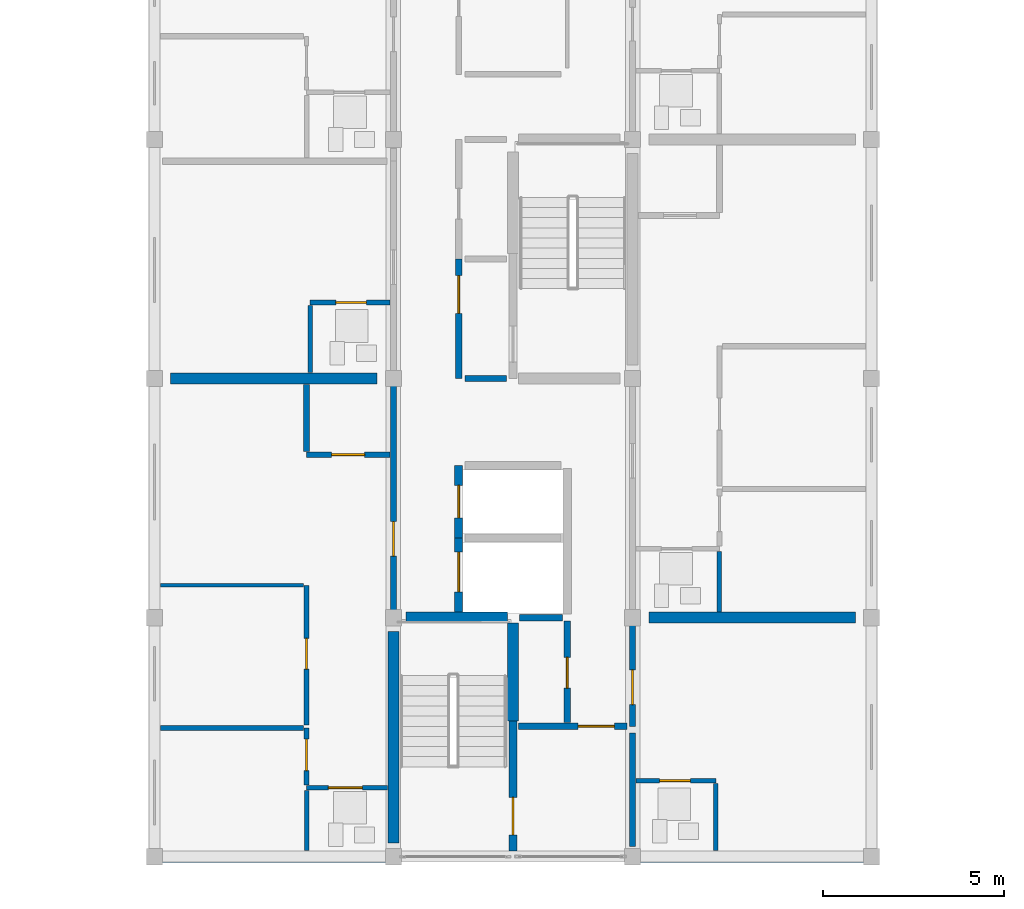
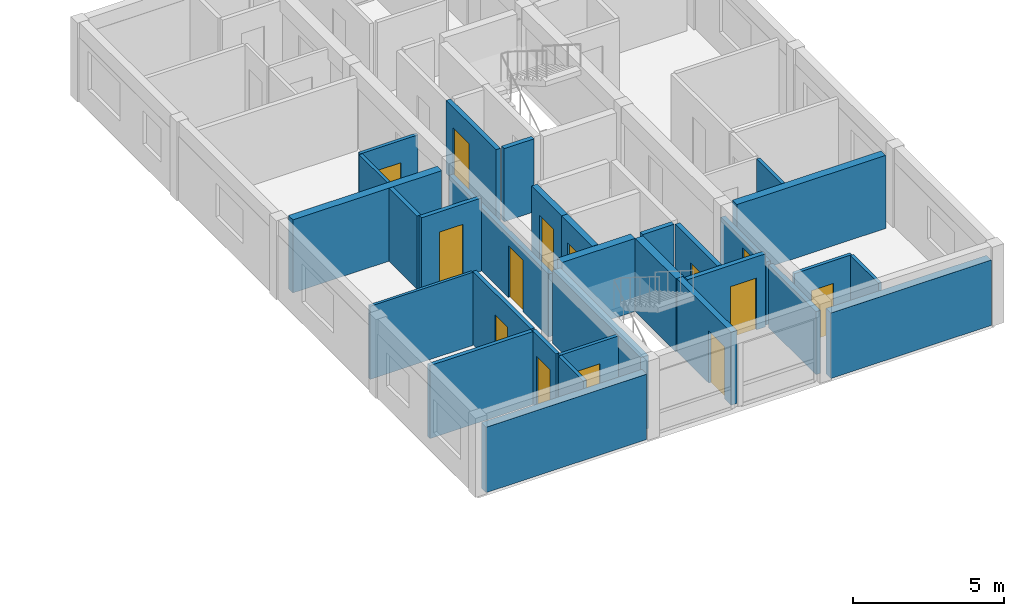
# One storey, part 28 of 45: 31 walls, 14 doors, 14 openings.
"""IFC4 building model written with IfcOpenShell, lengths in metres."""

from ifc_helpers import new_model, si_unit, direction, frame, frame_2d, origin, place, context, subcontext, project, spatial, rectangle, extrude, material, layer, layer_set, type_object, element, fill, save


model = new_model("IFC4")

# Units and contexts
model_context = context("Model", 3, precision=1e-05, world=origin(), true_north=direction((0.0, 1.0)))
body_context = subcontext(model_context, "Body", "Model", "MODEL_VIEW")
ifc_project = project(units=[si_unit("LENGTHUNIT", "METRE"), si_unit("AREAUNIT", "SQUARE_METRE"), si_unit("VOLUMEUNIT", "CUBIC_METRE"), si_unit("PLANEANGLEUNIT", "RADIAN"), si_unit("MASSUNIT", "GRAM", prefix="KILO")], contexts=[model_context])

# Site, building, storey
site_placement = place(None, origin())
site = spatial("IfcSite", under=ifc_project, at=site_placement, CompositionType="ELEMENT")
building_placement = place(site_placement, origin())
building = spatial("IfcBuilding", under=site, at=building_placement, Name="Kernevlak Ridge Housing Community", CompositionType="ELEMENT")
storey_placement = place(building_placement, frame((0.0, 0.0, 21.199951171875)))
storey = spatial("IfcBuildingStorey", under=building, at=storey_placement, Name="L06", CompositionType="ELEMENT", Elevation=21.199951171875)

# Walls
ifc_material_1 = material(Name="Concrete block masonry M10", Category="masonry")
ifc_layer_1 = layer(ifc_material_1, 0.320068359375, Name="Concrete block masonry M10")
ifc_layer_set_1 = layer_set([ifc_layer_1], Name="Concrete block masonry M10")
wall_type_1 = type_object("IfcWallType", Name="EW-02", PredefinedType="STANDARD", material=ifc_layer_set_1)
for number, where, z_axis, x_axis, name in (
    (1, (126.22509765625, 15.60009765625, 0.0), (0.0, 0.0, 1.0), (1.0, 0.0, 0.0), "Exterior wall EW-02 L06 624"),
    (2, (139.425048828125, 15.60009765625, 0.0), (0.0, 0.0, 1.0), (1.0, 0.0, 0.0), "Exterior wall EW-02 L06 625"),
):
    element("IfcWall", number, at=place(storey_placement, frame(where, z_axis=z_axis, x_axis=x_axis)), inside=storey, type_object=wall_type_1, Name=name, PredefinedType="STANDARD", context=body_context, shape_type="SweptSolid", body=[
        extrude(rectangle(XDim=6.14990234375, YDim=0.320068359375, at=frame_2d((3.074951171875, 0.0))), origin(), (0.0, 0.0, 1.0), 2.650146484375),
    ])

# Wall, opening, door
ifc_material_2 = material(Name="Concrete C35/45", Category="concrete")
ifc_layer_2 = layer(ifc_material_2, 0.22509765625, Name="Concrete C35/45")
ifc_layer_set_2 = layer_set([ifc_layer_2], Name="Concrete C35/45")
wall_type_2 = type_object("IfcWallType", Name="PW-01", PredefinedType="STANDARD", material=ifc_layer_set_2)
wall_1_placement = place(storey_placement, frame((135.89990234375, 15.75, 0.0), z_axis=(0.0, 0.0, 1.0), x_axis=(0.0, 1.0, 0.0)))
wall_1 = element("IfcWall", 3, at=wall_1_placement, inside=storey, type_object=wall_type_2, Name="Interior wall PW-01 WAL-INT-L06-2489", PredefinedType="STANDARD", context=body_context, shape_type="SweptSolid", body=[
    extrude(rectangle(XDim=3.60009765625, YDim=0.22509765625, at=frame_2d((1.800048828125, 0.0))), origin(), (0.0, 0.0, 1.0), 2.9599609375),
])
opening_1_placement = place(wall_1_placement, frame((0.449951171875, 0.0, 0.0)))
opening_1 = element("IfcOpeningElement", 4, at=opening_1_placement, cuts=wall_1, Name="Opening E263", PredefinedType="OPENING", context=body_context, shape_type="SweptSolid", body=[
    extrude(rectangle(XDim=1.0400390625, YDim=2.1201171875, at=frame_2d((0.52001953125, 1.06005859375))), frame((0.0, 0.12255859375, 0.0), z_axis=(0.0, -1.0, 0.0), x_axis=(1.0, 0.0, 0.0)), (0.0, 0.0, 1.0), 0.2451171875),
])
ifc_material_3 = material(Name="Fire-rated sheet steel leaf", Category="steel")
door_type_1 = type_object("IfcDoorType", Name="DT-16", OperationType="NOTDEFINED", PredefinedType="DOOR", material=ifc_material_3)
door_1_placement = place(opening_1_placement, origin())
door_1 = element("IfcDoor", 5, at=door_1_placement, inside=storey, type_object=door_type_1, Name="Block C Stair 1 fire door E263", OperationType="SINGLE_SWING_RIGHT", OverallHeight=2.1201171875, OverallWidth=1.0400390625, PredefinedType="DOOR", context=body_context, shape_type="SweptSolid", body=[
    extrude(rectangle(XDim=1.0400390625, YDim=2.1201171875, at=frame_2d((0.52001953125, 1.06005859375))), frame((0.0, 0.02490234375, 0.0), z_axis=(0.0, -1.0, 0.0), x_axis=(1.0, 0.0, 0.0)), (0.0, 0.0, 1.0), 0.050048828125),
])
fill(opening_1, door_1)

wall_2_placement = place(storey_placement, frame((134.39990234375, 22.360107421875, 0.0), z_axis=(0.0, 0.0, 1.0), x_axis=(0.0, 1.0, 0.0)))
wall_2 = element("IfcWall", 6, at=wall_2_placement, inside=storey, type_object=wall_type_2, Name="Interior wall PW-01 WAL-INT-L06-2493", PredefinedType="STANDARD", context=body_context, shape_type="SweptSolid", body=[
    extrude(rectangle(XDim=2.039794921875, YDim=0.22509765625, at=frame_2d((1.02001953125, 0.0))), origin(), (0.0, 0.0, 1.0), 2.9599609375),
])
opening_2_placement = place(wall_2_placement, frame((0.550048828125, 0.0, 0.0)))
opening_2 = element("IfcOpeningElement", 7, at=opening_2_placement, cuts=wall_2, Name="Opening LD67", PredefinedType="OPENING", context=body_context, shape_type="SweptSolid", body=[
    extrude(rectangle(XDim=1.10009765625, YDim=2.10009765625, at=frame_2d((0.550048828125, 1.050048828125))), frame((0.0, 0.12255859375, 0.0), z_axis=(0.0, -1.0, 0.0), x_axis=(1.0, 0.0, 0.0)), (0.0, 0.0, 1.0), 0.2451171875),
])
ifc_material_4 = material(Name="Stainless steel EN 1.4401", Category="steel")
door_type_2 = type_object("IfcDoorType", Name="DT-LD1", OperationType="DOUBLE_DOOR_SLIDING", PredefinedType="DOOR", material=ifc_material_4)
door_2_placement = place(opening_2_placement, origin())
door_2 = element("IfcDoor", 8, at=door_2_placement, inside=storey, type_object=door_type_2, Name="Lift LF-C1 landing door LD67", OperationType="DOUBLE_DOOR_SLIDING", OverallHeight=2.10009765625, OverallWidth=1.10009765625, PredefinedType="DOOR", context=body_context, shape_type="SweptSolid", body=[
    extrude(rectangle(XDim=1.10009765625, YDim=2.10009765625, at=frame_2d((0.550048828125, 1.050048828125))), frame((0.0, 0.02490234375, 0.0), z_axis=(0.0, -1.0, 0.0), x_axis=(1.0, 0.0, 0.0)), (0.0, 0.0, 1.0), 0.050048828125),
])
fill(opening_2, door_2)

wall_3_placement = place(storey_placement, frame((134.39990234375, 24.39990234375, 0.0), z_axis=(0.0, 0.0, 1.0), x_axis=(0.0, 1.0, 0.0)))
wall_3 = element("IfcWall", 9, at=wall_3_placement, inside=storey, type_object=wall_type_2, Name="Interior wall PW-01 WAL-INT-L06-2494", PredefinedType="STANDARD", context=body_context, shape_type="SweptSolid", body=[
    extrude(rectangle(XDim=2.0, YDim=0.22509765625, at=frame_2d((1.0, 0.0))), origin(), (0.0, 0.0, 1.0), 2.9599609375),
])
opening_3_placement = place(wall_3_placement, frame((0.550048828125, 0.0, 0.0)))
opening_3 = element("IfcOpeningElement", 10, at=opening_3_placement, cuts=wall_3, Name="Opening LD68", PredefinedType="OPENING", context=body_context, shape_type="SweptSolid", body=[
    extrude(rectangle(XDim=0.89990234375, YDim=2.10009765625, at=frame_2d((0.449951171875, 1.050048828125))), frame((0.0, 0.12255859375, 0.0), z_axis=(0.0, -1.0, 0.0), x_axis=(1.0, 0.0, 0.0)), (0.0, 0.0, 1.0), 0.2451171875),
])
door_type_3 = type_object("IfcDoorType", Name="DT-LD2", OperationType="DOUBLE_DOOR_SLIDING", PredefinedType="DOOR", material=ifc_material_4)
door_3_placement = place(opening_3_placement, origin())
door_3 = element("IfcDoor", 11, at=door_3_placement, inside=storey, type_object=door_type_3, Name="Lift LF-C2 landing door LD68", OperationType="DOUBLE_DOOR_SLIDING", OverallHeight=2.10009765625, OverallWidth=0.89990234375, PredefinedType="DOOR", context=body_context, shape_type="SweptSolid", body=[
    extrude(rectangle(XDim=0.89990234375, YDim=2.10009765625, at=frame_2d((0.449951171875, 1.050048828125))), frame((0.0, 0.02490234375, 0.0), z_axis=(0.0, -1.0, 0.0), x_axis=(1.0, 0.0, 0.0)), (0.0, 0.0, 1.0), 0.050048828125),
])
fill(opening_3, door_3)

ifc_layer_3 = layer(ifc_material_1, 0.175048828125, Name="Concrete block masonry M10")
ifc_layer_set_3 = layer_set([ifc_layer_3], Name="Concrete block masonry M10")
wall_type_3 = type_object("IfcWallType", Name="PW-02", PredefinedType="PARTITIONING", material=ifc_layer_set_3)
wall_4_placement = place(storey_placement, frame((136.050048828125, 19.199951171875, 0.0), z_axis=(0.0, 0.0, 1.0), x_axis=(1.0, 0.0, 0.0)))
wall_4 = element("IfcWall", 12, at=wall_4_placement, inside=storey, type_object=wall_type_3, Name="Interior wall PW-02 WAL-INT-L06-2490", PredefinedType="PARTITIONING", context=body_context, shape_type="SweptSolid", body=[
    extrude(rectangle(XDim=3.0, YDim=0.175048828125, at=frame_2d((1.5, 0.0))), origin(), (0.0, 0.0, 1.0), 2.9599609375),
])
opening_4_placement = place(wall_4_placement, frame((1.64990234375, 0.0, 0.0)))
opening_4 = element("IfcOpeningElement", 13, at=opening_4_placement, cuts=wall_4, Name="Opening E264", PredefinedType="OPENING", context=body_context, shape_type="SweptSolid", body=[
    extrude(rectangle(XDim=1.0, YDim=2.10009765625, at=frame_2d((0.5, 1.050048828125))), frame((0.0, 0.097412109375, 0.0), z_axis=(0.0, -1.0, 0.0), x_axis=(1.0, 0.0, 0.0)), (0.0, 0.0, 1.0), 0.195068359375),
])
door_type_4 = type_object("IfcDoorType", Name="DT-05", OperationType="NOTDEFINED", PredefinedType="DOOR", material=ifc_material_3)
door_4_placement = place(opening_4_placement, origin())
door_4 = element("IfcDoor", 14, at=door_4_placement, inside=storey, type_object=door_type_4, Name="Block C Firefighting lobby 1 door E264", OperationType="SINGLE_SWING_LEFT", OverallHeight=2.10009765625, OverallWidth=1.0, PredefinedType="DOOR", context=body_context, shape_type="SweptSolid", body=[
    extrude(rectangle(XDim=1.0, YDim=2.10009765625, at=frame_2d((0.5, 1.050048828125))), frame((0.0, 0.02490234375, 0.0), z_axis=(0.0, -1.0, 0.0), x_axis=(1.0, 0.0, 0.0)), (0.0, 0.0, 1.0), 0.050048828125),
])
fill(opening_4, door_4)

wall_5_placement = place(storey_placement, frame((137.39990234375, 19.300048828125, 0.0), z_axis=(0.0, 0.0, 1.0), x_axis=(0.0, 1.0, 0.0)))
wall_5 = element("IfcWall", 15, at=wall_5_placement, inside=storey, type_object=wall_type_3, Name="Interior wall PW-02 WAL-INT-L06-2491", PredefinedType="PARTITIONING", context=body_context, shape_type="SweptSolid", body=[
    extrude(rectangle(XDim=2.800048828125, YDim=0.175048828125, at=frame_2d((1.39990234375, 0.0))), origin(), (0.0, 0.0, 1.0), 2.9599609375),
])
opening_5_placement = place(wall_5_placement, frame((0.949951171875, 0.0, 0.0)))
opening_5 = element("IfcOpeningElement", 16, at=opening_5_placement, cuts=wall_5, Name="Opening E265", PredefinedType="OPENING", context=body_context, shape_type="SweptSolid", body=[
    extrude(rectangle(XDim=0.85009765625, YDim=2.0, at=frame_2d((0.425048828125, 1.0))), frame((0.0, 0.097412109375, 0.0), z_axis=(0.0, -1.0, 0.0), x_axis=(1.0, 0.0, 0.0)), (0.0, 0.0, 1.0), 0.195068359375),
])
door_type_5 = type_object("IfcDoorType", Name="DT-07", OperationType="NOTDEFINED", PredefinedType="DOOR", material=ifc_material_3)
door_5_placement = place(opening_5_placement, origin())
door_5 = element("IfcDoor", 17, at=door_5_placement, inside=storey, type_object=door_type_5, Name="Block C Riser shaft door E265", OperationType="SINGLE_SWING_RIGHT", OverallHeight=2.0, OverallWidth=0.85009765625, PredefinedType="DOOR", context=body_context, shape_type="SweptSolid", body=[
    extrude(rectangle(XDim=0.85009765625, YDim=2.0, at=frame_2d((0.425048828125, 1.0))), frame((0.0, 0.02490234375, 0.0), z_axis=(0.0, -1.0, 0.0), x_axis=(1.0, 0.0, 0.0)), (0.0, 0.0, 1.0), 0.050048828125),
])
fill(opening_5, door_5)

# Wall
wall_6_placement = place(storey_placement, frame((136.080078125, 22.199951171875, 0.0), z_axis=(0.0, 0.0, 1.0), x_axis=(1.0, 0.0, 0.0)))
element("IfcWall", 18, at=wall_6_placement, inside=storey, type_object=wall_type_3, Name="Interior wall PW-02 WAL-INT-L06-2492", PredefinedType="PARTITIONING", context=body_context, shape_type="SweptSolid", body=[
    extrude(rectangle(XDim=1.18994140625, YDim=0.175048828125, at=frame_2d((0.594970703125, 0.0))), origin(), (0.0, 0.0, 1.0), 2.9599609375),
])

# Wall, opening, door
wall_7_placement = place(storey_placement, frame((134.39990234375, 28.800048828125, 0.0), z_axis=(0.0, 0.0, 1.0), x_axis=(0.0, 1.0, 0.0)))
wall_7 = element("IfcWall", 19, at=wall_7_placement, inside=storey, type_object=wall_type_3, Name="Interior wall PW-02 WAL-INT-L06-2500", PredefinedType="PARTITIONING", context=body_context, shape_type="SweptSolid", body=[
    extrude(rectangle(XDim=3.300048828125, YDim=0.175048828125, at=frame_2d((1.64990234375, 0.0))), origin(), (0.0, 0.0, 1.0), 2.9599609375),
])
opening_6_placement = place(wall_7_placement, frame((1.800048828125, 0.0, 0.0)))
opening_6 = element("IfcOpeningElement", 20, at=opening_6_placement, cuts=wall_7, Name="Opening E267", PredefinedType="OPENING", context=body_context, shape_type="SweptSolid", body=[
    extrude(rectangle(XDim=1.0400390625, YDim=2.1201171875, at=frame_2d((0.52001953125, 1.06005859375))), frame((0.0, 0.097412109375, 0.0), z_axis=(0.0, -1.0, 0.0), x_axis=(1.0, 0.0, 0.0)), (0.0, 0.0, 1.0), 0.195068359375),
])
door_6_placement = place(opening_6_placement, origin())
door_6 = element("IfcDoor", 21, at=door_6_placement, inside=storey, type_object=door_type_1, Name="Block C Firefighting lobby 2 door E267", OperationType="SINGLE_SWING_RIGHT", OverallHeight=2.1201171875, OverallWidth=1.0400390625, PredefinedType="DOOR", context=body_context, shape_type="SweptSolid", body=[
    extrude(rectangle(XDim=1.0400390625, YDim=2.1201171875, at=frame_2d((0.52001953125, 1.06005859375))), frame((0.0, 0.02490234375, 0.0), z_axis=(0.0, -1.0, 0.0), x_axis=(1.0, 0.0, 0.0)), (0.0, 0.0, 1.0), 0.050048828125),
])
fill(opening_6, door_6)

# Wall
wall_8_placement = place(storey_placement, frame((134.580078125, 28.800048828125, 0.0), z_axis=(0.0, 0.0, 1.0), x_axis=(1.0, 0.0, 0.0)))
element("IfcWall", 22, at=wall_8_placement, inside=storey, type_object=wall_type_3, Name="Interior wall PW-02 WAL-INT-L06-2502", PredefinedType="PARTITIONING", context=body_context, shape_type="SweptSolid", body=[
    extrude(rectangle(XDim=1.139892578125, YDim=0.175048828125, at=frame_2d((0.56982421875, 0.0))), origin(), (0.0, 0.0, 1.0), 2.9599609375),
])

# Wall, opening, door
wall_9_placement = place(storey_placement, frame((132.60009765625, 22.199951171875, 0.0), z_axis=(0.0, 0.0, 1.0), x_axis=(0.0, 1.0, 0.0)))
wall_9 = element("IfcWall", 23, at=wall_9_placement, inside=storey, type_object=wall_type_3, Name="Interior wall PW-02 WAL-INT-L06-2508", PredefinedType="PARTITIONING", context=body_context, shape_type="SweptSolid", body=[
    extrude(rectangle(XDim=6.60009765625, YDim=0.175048828125, at=frame_2d((3.300048828125, 0.0))), origin(), (0.0, 0.0, 1.0), 2.550048828125),
])
opening_7_placement = place(wall_9_placement, frame((1.699951171875, 0.0, 0.0)))
opening_7 = element("IfcOpeningElement", 24, at=opening_7_placement, cuts=wall_9, Name="Opening E270", PredefinedType="OPENING", context=body_context, shape_type="SweptSolid", body=[
    extrude(rectangle(XDim=0.949951171875, YDim=2.10009765625, at=frame_2d((0.47509765625, 1.050048828125))), frame((0.0, 0.097412109375, 0.0), z_axis=(0.0, -1.0, 0.0), x_axis=(1.0, 0.0, 0.0)), (0.0, 0.0, 1.0), 0.195068359375),
])
ifc_material_5 = material(Name="Hardwood timber solid-core fire leaf", Category="wood")
door_type_6 = type_object("IfcDoorType", Name="DT-01", OperationType="NOTDEFINED", PredefinedType="DOOR", material=ifc_material_5)
door_7_placement = place(opening_7_placement, origin())
door_7 = element("IfcDoor", 25, at=door_7_placement, inside=storey, type_object=door_type_6, Name="Flat C0611 entrance fire door E270", OperationType="SINGLE_SWING_LEFT", OverallHeight=2.10009765625, OverallWidth=0.949951171875, PredefinedType="DOOR", context=body_context, shape_type="SweptSolid", body=[
    extrude(rectangle(XDim=0.949951171875, YDim=2.10009765625, at=frame_2d((0.47509765625, 1.050048828125))), frame((0.0, 0.02490234375, 0.0), z_axis=(0.0, -1.0, 0.0), x_axis=(1.0, 0.0, 0.0)), (0.0, 0.0, 1.0), 0.050048828125),
])
fill(opening_7, door_7)

# Wall
wall_10_placement = place(storey_placement, frame((139.199951171875, 15.8798828125, 0.0), z_axis=(0.0, 0.0, 1.0), x_axis=(0.0, 1.0, 0.0)))
element("IfcWall", 26, at=wall_10_placement, inside=storey, type_object=wall_type_3, Name="Interior wall PW-02 WAL-INT-L06-2528", PredefinedType="PARTITIONING", context=body_context, shape_type="SweptSolid", body=[
    extrude(rectangle(XDim=3.14013671875, YDim=0.175048828125, at=frame_2d((1.570068359375, 0.0))), origin(), (0.0, 0.0, 1.0), 2.550048828125),
])

# Wall, opening, door
wall_11_placement = place(storey_placement, frame((139.199951171875, 19.199951171875, 0.0), z_axis=(0.0, 0.0, 1.0), x_axis=(0.0, 1.0, 0.0)))
wall_11 = element("IfcWall", 27, at=wall_11_placement, inside=storey, type_object=wall_type_3, Name="Interior wall PW-02 WAL-INT-L06-2529", PredefinedType="PARTITIONING", context=body_context, shape_type="SweptSolid", body=[
    extrude(rectangle(XDim=3.0, YDim=0.175048828125, at=frame_2d((1.5, 0.0))), origin(), (0.0, 0.0, 1.0), 2.550048828125),
])
opening_8_placement = place(wall_11_placement, frame((0.60009765625, 0.0, 0.0)))
opening_8 = element("IfcOpeningElement", 28, at=opening_8_placement, cuts=wall_11, Name="Opening E281", PredefinedType="OPENING", context=body_context, shape_type="SweptSolid", body=[
    extrude(rectangle(XDim=0.9599609375, YDim=2.179931640625, at=frame_2d((0.47998046875, 1.08984375))), frame((0.0, 0.097412109375, 0.0), z_axis=(0.0, -1.0, 0.0), x_axis=(1.0, 0.0, 0.0)), (0.0, 0.0, 1.0), 0.195068359375),
])
door_type_7 = type_object("IfcDoorType", Name="DT-29", OperationType="NOTDEFINED", PredefinedType="DOOR", material=ifc_material_5)
door_8_placement = place(opening_8_placement, origin())
door_8 = element("IfcDoor", 29, at=door_8_placement, inside=storey, type_object=door_type_7, Name="Flat C0621 entrance fire door E281", OperationType="SINGLE_SWING_RIGHT", OverallHeight=2.179931640625, OverallWidth=0.9599609375, PredefinedType="DOOR", context=body_context, shape_type="SweptSolid", body=[
    extrude(rectangle(XDim=0.9599609375, YDim=2.179931640625, at=frame_2d((0.47998046875, 1.08984375))), frame((0.0, 0.02490234375, 0.0), z_axis=(0.0, -1.0, 0.0), x_axis=(1.0, 0.0, 0.0)), (0.0, 0.0, 1.0), 0.050048828125),
])
fill(opening_8, door_8)

ifc_layer_4 = layer(ifc_material_1, 0.14501953125, Name="Concrete block masonry M10")
ifc_layer_set_4 = layer_set([ifc_layer_4], Name="Concrete block masonry M10")
wall_type_4 = type_object("IfcWallType", Name="PW-03", PredefinedType="PARTITIONING", material=ifc_layer_set_4)
wall_12_placement = place(storey_placement, frame((130.199951171875, 17.572509765625, 0.0), z_axis=(0.0, 0.0, 1.0), x_axis=(0.0, 1.0, 0.0)))
wall_12 = element("IfcWall", 30, at=wall_12_placement, inside=storey, type_object=wall_type_4, Name="Interior wall PW-03 WAL-INT-L06-2513", PredefinedType="PARTITIONING", context=body_context, shape_type="SweptSolid", body=[
    extrude(rectangle(XDim=1.577392578125, YDim=0.14501953125, at=frame_2d((0.78857421875, 0.0))), origin(), (0.0, 0.0, 1.0), 2.9599609375),
])
opening_9_placement = place(wall_12_placement, frame((0.39990234375, 0.0, 0.0)))
opening_9 = element("IfcOpeningElement", 31, at=opening_9_placement, cuts=wall_12, Name="Opening E273", PredefinedType="OPENING", context=body_context, shape_type="SweptSolid", body=[
    extrude(rectangle(XDim=0.8701171875, YDim=2.080078125, at=frame_2d((0.43505859375, 1.0400390625))), frame((0.0, 0.08251953125, 0.0), z_axis=(0.0, -1.0, 0.0), x_axis=(1.0, 0.0, 0.0)), (0.0, 0.0, 1.0), 0.1650390625),
])
ifc_material_6 = material(Name="Hardwood timber leaf", Category="wood")
door_type_8 = type_object("IfcDoorType", Name="DT-32", OperationType="NOTDEFINED", PredefinedType="DOOR", material=ifc_material_6)
door_9_placement = place(opening_9_placement, origin())
door_9 = element("IfcDoor", 32, at=door_9_placement, inside=storey, type_object=door_type_8, Name="Flat C0611 bedroom door E273", OperationType="SINGLE_SWING_RIGHT", OverallHeight=2.080078125, OverallWidth=0.8701171875, PredefinedType="DOOR", context=body_context, shape_type="SweptSolid", body=[
    extrude(rectangle(XDim=0.8701171875, YDim=2.080078125, at=frame_2d((0.43505859375, 1.0400390625))), frame((0.0, 0.02490234375, 0.0), z_axis=(0.0, -1.0, 0.0), x_axis=(1.0, 0.0, 0.0)), (0.0, 0.0, 1.0), 0.050048828125),
])
fill(opening_9, door_9)

# Wall
wall_13_placement = place(storey_placement, frame((130.117431640625, 19.14990234375, 0.0), z_axis=(0.0, 0.0, 1.0), x_axis=(-1.0, 0.0, 0.0)))
element("IfcWall", 33, at=wall_13_placement, inside=storey, type_object=wall_type_4, Name="Interior wall PW-03 WAL-INT-L06-2514", PredefinedType="PARTITIONING", context=body_context, shape_type="SweptSolid", body=[
    extrude(rectangle(XDim=3.947509765625, YDim=0.14501953125, at=frame_2d((1.9736328125, 0.0))), origin(), (0.0, 0.0, 1.0), 2.9599609375),
])

# Wall, opening, door
wall_14_placement = place(storey_placement, frame((130.199951171875, 19.232421875, 0.0), z_axis=(0.0, 0.0, 1.0), x_axis=(0.0, 1.0, 0.0)))
wall_14 = element("IfcWall", 34, at=wall_14_placement, inside=storey, type_object=wall_type_4, Name="Interior wall PW-03 WAL-INT-L06-2515", PredefinedType="PARTITIONING", context=body_context, shape_type="SweptSolid", body=[
    extrude(rectangle(XDim=3.859619140625, YDim=0.14501953125, at=frame_2d((1.9296875, 0.0))), origin(), (0.0, 0.0, 1.0), 2.9599609375),
])
opening_10_placement = place(wall_14_placement, frame((1.5458984375, 0.0, 0.0)))
opening_10 = element("IfcOpeningElement", 35, at=opening_10_placement, cuts=wall_14, Name="Opening E274", PredefinedType="OPENING", context=body_context, shape_type="SweptSolid", body=[
    extrude(rectangle(XDim=0.85009765625, YDim=2.10009765625, at=frame_2d((0.425048828125, 1.050048828125))), frame((0.0, 0.08251953125, 0.0), z_axis=(0.0, -1.0, 0.0), x_axis=(1.0, 0.0, 0.0)), (0.0, 0.0, 1.0), 0.1650390625),
])
door_type_9 = type_object("IfcDoorType", Name="DT-03", OperationType="NOTDEFINED", PredefinedType="DOOR", material=ifc_material_6)
door_10_placement = place(opening_10_placement, origin())
door_10 = element("IfcDoor", 36, at=door_10_placement, inside=storey, type_object=door_type_9, Name="Flat C0611 bedroom door E274", OperationType="SINGLE_SWING_LEFT", OverallHeight=2.10009765625, OverallWidth=0.85009765625, PredefinedType="DOOR", context=body_context, shape_type="SweptSolid", body=[
    extrude(rectangle(XDim=0.85009765625, YDim=2.10009765625, at=frame_2d((0.425048828125, 1.050048828125))), frame((0.0, 0.02490234375, 0.0), z_axis=(0.0, -1.0, 0.0), x_axis=(1.0, 0.0, 0.0)), (0.0, 0.0, 1.0), 0.050048828125),
])
fill(opening_10, door_10)

ifc_material_7 = material(Name="Gypsum plasterboard EN 520", Category="gypsum")
ifc_layer_5 = layer(ifc_material_7, 0.125, Name="Gypsum plasterboard EN 520")
ifc_layer_set_5 = layer_set([ifc_layer_5], Name="Gypsum plasterboard EN 520")
wall_type_5 = type_object("IfcWallType", Name="PW-04", PredefinedType="PARTITIONING", material=ifc_layer_set_5)
wall_15_placement = place(storey_placement, frame((132.43994140625, 17.5, 0.0), z_axis=(0.0, 0.0, 1.0), x_axis=(-1.0, 0.0, 0.0)))
wall_15 = element("IfcWall", 37, at=wall_15_placement, inside=storey, type_object=wall_type_5, Name="Interior wall PW-04 WAL-INT-L06-2509", PredefinedType="PARTITIONING", context=body_context, shape_type="SweptSolid", body=[
    extrude(rectangle(XDim=2.239990234375, YDim=0.125, at=frame_2d((1.1201171875, 0.0))), origin(), (0.0, 0.0, 1.0), 2.9599609375),
])
opening_11_placement = place(wall_15_placement, frame((0.699951171875, 0.0, 0.0)))
opening_11 = element("IfcOpeningElement", 38, at=opening_11_placement, cuts=wall_15, Name="Opening E271", PredefinedType="OPENING", context=body_context, shape_type="SweptSolid", body=[
    extrude(rectangle(XDim=0.93994140625, YDim=2.080078125, at=frame_2d((0.469970703125, 1.0400390625))), frame((0.0, 0.072509765625, 0.0), z_axis=(0.0, -1.0, 0.0), x_axis=(1.0, 0.0, 0.0)), (0.0, 0.0, 1.0), 0.14501953125),
])
ifc_material_8 = material(Name="Hardwood timber moisture-resistant leaf", Category="wood")
door_type_10 = type_object("IfcDoorType", Name="DT-23", OperationType="NOTDEFINED", PredefinedType="DOOR", material=ifc_material_8)
door_11_placement = place(opening_11_placement, origin())
door_11 = element("IfcDoor", 39, at=door_11_placement, inside=storey, type_object=door_type_10, Name="Flat C0611 bathroom door E271", OperationType="SINGLE_SWING_RIGHT", OverallHeight=2.080078125, OverallWidth=0.93994140625, PredefinedType="DOOR", context=body_context, shape_type="SweptSolid", body=[
    extrude(rectangle(XDim=0.93994140625, YDim=2.080078125, at=frame_2d((0.469970703125, 1.0400390625))), frame((0.0, 0.02490234375, 0.0), z_axis=(0.0, -1.0, 0.0), x_axis=(1.0, 0.0, 0.0)), (0.0, 0.0, 1.0), 0.050048828125),
])
fill(opening_11, door_11)

# Wall
wall_16_placement = place(storey_placement, frame((130.199951171875, 15.77001953125, 0.0), z_axis=(0.0, 0.0, 1.0), x_axis=(0.0, 1.0, 0.0)))
element("IfcWall", 40, at=wall_16_placement, inside=storey, type_object=wall_type_5, Name="Interior wall PW-04 WAL-INT-L06-2510", PredefinedType="PARTITIONING", context=body_context, shape_type="SweptSolid", body=[
    extrude(rectangle(XDim=1.64990234375, YDim=0.125, at=frame_2d((0.824951171875, 0.0))), origin(), (0.0, 0.0, 1.0), 2.9599609375),
])

# Wall, opening, door
wall_17_placement = place(storey_placement, frame((132.50244140625, 30.89990234375, 0.0), z_axis=(0.0, 0.0, 1.0), x_axis=(-1.0, 0.0, 0.0)))
wall_17 = element("IfcWall", 41, at=wall_17_placement, inside=storey, type_object=wall_type_5, Name="Interior wall PW-04 WAL-INT-L06-2518", PredefinedType="PARTITIONING", context=body_context, shape_type="SweptSolid", body=[
    extrude(rectangle(XDim=2.202392578125, YDim=0.125, at=frame_2d((1.10107421875, 0.0))), origin(), (0.0, 0.0, 1.0), 2.9599609375),
])
opening_12_placement = place(wall_17_placement, frame((0.64990234375, 0.0, 0.0)))
opening_12 = element("IfcOpeningElement", 42, at=opening_12_placement, cuts=wall_17, Name="Opening E276", PredefinedType="OPENING", context=body_context, shape_type="SweptSolid", body=[
    extrude(rectangle(XDim=0.840087890625, YDim=2.06005859375, at=frame_2d((0.419921875, 1.030029296875))), frame((0.0, 0.072509765625, 0.0), z_axis=(0.0, -1.0, 0.0), x_axis=(1.0, 0.0, 0.0)), (0.0, 0.0, 1.0), 0.14501953125),
])
door_type_11 = type_object("IfcDoorType", Name="DT-27", OperationType="NOTDEFINED", PredefinedType="DOOR", material=ifc_material_8)
door_12_placement = place(opening_12_placement, origin())
door_12 = element("IfcDoor", 43, at=door_12_placement, inside=storey, type_object=door_type_11, Name="Flat C0612 bathroom door E276", OperationType="SINGLE_SWING_LEFT", OverallHeight=2.06005859375, OverallWidth=0.840087890625, PredefinedType="DOOR", context=body_context, shape_type="SweptSolid", body=[
    extrude(rectangle(XDim=0.840087890625, YDim=2.06005859375, at=frame_2d((0.419921875, 1.030029296875))), frame((0.0, 0.02490234375, 0.0), z_axis=(0.0, -1.0, 0.0), x_axis=(1.0, 0.0, 0.0)), (0.0, 0.0, 1.0), 0.050048828125),
])
fill(opening_12, door_12)

# Wall
wall_18_placement = place(storey_placement, frame((130.300048828125, 28.9599609375, 0.0), z_axis=(0.0, 0.0, 1.0), x_axis=(0.0, 1.0, 0.0)))
element("IfcWall", 44, at=wall_18_placement, inside=storey, type_object=wall_type_5, Name="Interior wall PW-04 WAL-INT-L06-2519", PredefinedType="PARTITIONING", context=body_context, shape_type="SweptSolid", body=[
    extrude(rectangle(XDim=1.860107421875, YDim=0.125, at=frame_2d((0.93017578125, 0.0))), origin(), (0.0, 0.0, 1.0), 2.9599609375),
])

# Wall, opening, door
wall_19_placement = place(storey_placement, frame((139.297607421875, 17.699951171875, 0.0), z_axis=(0.0, 0.0, 1.0), x_axis=(1.0, 0.0, 0.0)))
wall_19 = element("IfcWall", 45, at=wall_19_placement, inside=storey, type_object=wall_type_5, Name="Interior wall PW-04 WAL-INT-L06-2530", PredefinedType="PARTITIONING", context=body_context, shape_type="SweptSolid", body=[
    extrude(rectangle(XDim=2.202392578125, YDim=0.125, at=frame_2d((1.10107421875, 0.0))), origin(), (0.0, 0.0, 1.0), 2.9599609375),
])
opening_13_placement = place(wall_19_placement, frame((0.64990234375, 0.0, 0.0)))
opening_13 = element("IfcOpeningElement", 46, at=opening_13_placement, cuts=wall_19, Name="Opening E282", PredefinedType="OPENING", context=body_context, shape_type="SweptSolid", body=[
    extrude(rectangle(XDim=0.85009765625, YDim=2.0400390625, at=frame_2d((0.425048828125, 1.02001953125))), frame((0.0, 0.072509765625, 0.0), z_axis=(0.0, -1.0, 0.0), x_axis=(1.0, 0.0, 0.0)), (0.0, 0.0, 1.0), 0.14501953125),
])
door_type_12 = type_object("IfcDoorType", Name="DT-04", OperationType="NOTDEFINED", PredefinedType="DOOR", material=ifc_material_8)
door_13_placement = place(opening_13_placement, origin())
door_13 = element("IfcDoor", 47, at=door_13_placement, inside=storey, type_object=door_type_12, Name="Flat C0621 bathroom door E282", OperationType="SINGLE_SWING_LEFT", OverallHeight=2.0400390625, OverallWidth=0.85009765625, PredefinedType="DOOR", context=body_context, shape_type="SweptSolid", body=[
    extrude(rectangle(XDim=0.85009765625, YDim=2.0400390625, at=frame_2d((0.425048828125, 1.02001953125))), frame((0.0, 0.02490234375, 0.0), z_axis=(0.0, -1.0, 0.0), x_axis=(1.0, 0.0, 0.0)), (0.0, 0.0, 1.0), 0.050048828125),
])
fill(opening_13, door_13)

# Walls
wall_20_placement = place(storey_placement, frame((141.5, 15.77001953125, 0.0), z_axis=(0.0, 0.0, 1.0), x_axis=(0.0, 1.0, 0.0)))
element("IfcWall", 48, at=wall_20_placement, inside=storey, type_object=wall_type_5, Name="Interior wall PW-04 WAL-INT-L06-2531", PredefinedType="PARTITIONING", context=body_context, shape_type="SweptSolid", body=[
    extrude(rectangle(XDim=1.85009765625, YDim=0.125, at=frame_2d((0.925048828125, 0.0))), origin(), (0.0, 0.0, 1.0), 2.9599609375),
])
wall_21_placement = place(storey_placement, frame((141.60009765625, 22.360107421875, 0.0), z_axis=(0.0, 0.0, 1.0), x_axis=(0.0, 1.0, 0.0)))
element("IfcWall", 49, at=wall_21_placement, inside=storey, type_object=wall_type_5, Name="Interior wall PW-04 WAL-INT-L06-2534", PredefinedType="PARTITIONING", context=body_context, shape_type="SweptSolid", body=[
    extrude(rectangle(XDim=1.659912109375, YDim=0.125, at=frame_2d((0.830078125, 0.0))), origin(), (0.0, 0.0, 1.0), 2.9599609375),
])

# Wall, opening, door
ifc_layer_6 = layer(ifc_material_7, 0.155029296875, Name="Gypsum plasterboard EN 520")
ifc_layer_set_6 = layer_set([ifc_layer_6], Name="Gypsum plasterboard EN 520")
wall_type_6 = type_object("IfcWallType", Name="PW-05", PredefinedType="PARTITIONING", material=ifc_layer_set_6)
wall_22_placement = place(storey_placement, frame((132.50244140625, 26.699951171875, 0.0), z_axis=(0.0, 0.0, 1.0), x_axis=(-1.0, 0.0, 0.0)))
wall_22 = element("IfcWall", 50, at=wall_22_placement, inside=storey, type_object=wall_type_6, Name="Interior wall PW-05 WAL-INT-L06-2511", PredefinedType="PARTITIONING", context=body_context, shape_type="SweptSolid", body=[
    extrude(rectangle(XDim=2.302490234375, YDim=0.155029296875, at=frame_2d((1.1513671875, 0.0))), origin(), (0.0, 0.0, 1.0), 2.9599609375),
])
opening_14_placement = place(wall_22_placement, frame((0.699951171875, 0.0, 0.0)))
opening_14 = element("IfcOpeningElement", 51, at=opening_14_placement, cuts=wall_22, Name="Opening E272", PredefinedType="OPENING", context=body_context, shape_type="SweptSolid", body=[
    extrude(rectangle(XDim=0.909912109375, YDim=2.139892578125, at=frame_2d((0.455078125, 1.06982421875))), frame((0.0, 0.08740234375, 0.0), z_axis=(0.0, -1.0, 0.0), x_axis=(1.0, 0.0, 0.0)), (0.0, 0.0, 1.0), 0.175048828125),
])
door_type_13 = type_object("IfcDoorType", Name="DT-31", OperationType="NOTDEFINED", PredefinedType="DOOR", material=ifc_material_6)
door_14_placement = place(opening_14_placement, origin())
door_14 = element("IfcDoor", 52, at=door_14_placement, inside=storey, type_object=door_type_13, Name="Flat C0611 kitchen door E272", OperationType="SINGLE_SWING_LEFT", OverallHeight=2.139892578125, OverallWidth=0.909912109375, PredefinedType="DOOR", context=body_context, shape_type="SweptSolid", body=[
    extrude(rectangle(XDim=0.909912109375, YDim=2.139892578125, at=frame_2d((0.455078125, 1.06982421875))), frame((0.0, 0.02490234375, 0.0), z_axis=(0.0, -1.0, 0.0), x_axis=(1.0, 0.0, 0.0)), (0.0, 0.0, 1.0), 0.050048828125),
])
fill(opening_14, door_14)

# Walls
wall_23_placement = place(storey_placement, frame((130.199951171875, 26.78759765625, 0.0), z_axis=(0.0, 0.0, 1.0), x_axis=(0.0, 1.0, 0.0)))
element("IfcWall", 53, at=wall_23_placement, inside=storey, type_object=wall_type_6, Name="Interior wall PW-05 WAL-INT-L06-2512", PredefinedType="PARTITIONING", context=body_context, shape_type="SweptSolid", body=[
    extrude(rectangle(XDim=1.852294921875, YDim=0.155029296875, at=frame_2d((0.92626953125, 0.0))), origin(), (0.0, 0.0, 1.0), 2.9599609375),
])
ifc_layer_7 = layer(ifc_material_7, 0.10498046875, Name="Gypsum plasterboard EN 520")
ifc_layer_set_7 = layer_set([ifc_layer_7], Name="Gypsum plasterboard EN 520")
wall_type_7 = type_object("IfcWallType", Name="PW-06", PredefinedType="PARTITIONING", material=ifc_layer_set_7)
wall_24_placement = place(storey_placement, frame((130.117431640625, 23.092041015625, 0.0), z_axis=(0.0, 0.0, 1.0), x_axis=(-1.0, 0.0, 0.0)))
element("IfcWall", 54, at=wall_24_placement, inside=storey, type_object=wall_type_7, Name="Interior wall PW-06 WAL-INT-L06-2516", PredefinedType="PARTITIONING", context=body_context, shape_type="SweptSolid", body=[
    extrude(rectangle(XDim=3.947509765625, YDim=0.10498046875, at=frame_2d((1.9736328125, 0.0))), origin(), (0.0, 0.0, 1.0), 2.9599609375),
])
ifc_material_9 = material(Name="Concrete C40/50", Category="concrete")
ifc_layer_8 = layer(ifc_material_9, 0.300048828125, Name="Concrete C40/50")
ifc_layer_set_8 = layer_set([ifc_layer_8], Name="Concrete C40/50")
wall_type_8 = type_object("IfcWallType", Name="SW-02", PredefinedType="SHEAR", material=ifc_layer_set_8)
wall_25_placement = place(storey_placement, frame((132.60009765625, 15.97998046875, 0.0), z_axis=(0.0, 0.0, 1.0), x_axis=(0.0, 1.0, 0.0)))
element("IfcWall", 55, at=wall_25_placement, inside=storey, type_object=wall_type_8, Name="Shear wall SW-02 Block C L06 431", PredefinedType="SHEAR", context=body_context, shape_type="SweptSolid", body=[
    extrude(rectangle(XDim=5.840087890625, YDim=0.300048828125, at=frame_2d((2.919921875, 0.0))), origin(), (0.0, 0.0, 1.0), 2.9599609375),
])
wall_26_placement = place(storey_placement, frame((135.89990234375, 19.35009765625, 0.0), z_axis=(0.0, 0.0, 1.0), x_axis=(0.0, 1.0, 0.0)))
element("IfcWall", 56, at=wall_26_placement, inside=storey, type_object=wall_type_8, Name="Shear wall SW-02 Block C L06 432", PredefinedType="SHEAR", context=body_context, shape_type="SweptSolid", body=[
    extrude(rectangle(XDim=2.699951171875, YDim=0.300048828125, at=frame_2d((1.35009765625, 0.0))), origin(), (0.0, 0.0, 1.0), 2.9599609375),
])
wall_27_placement = place(storey_placement, frame((132.949951171875, 22.199951171875, 0.0), z_axis=(0.0, 0.0, 1.0), x_axis=(1.0, 0.0, 0.0)))
element("IfcWall", 57, at=wall_27_placement, inside=storey, type_object=wall_type_8, Name="Shear wall SW-02 Block C L06 433", PredefinedType="SHEAR", context=body_context, shape_type="SweptSolid", body=[
    extrude(rectangle(XDim=2.800048828125, YDim=0.300048828125, at=frame_2d((1.39990234375, 0.0))), origin(), (0.0, 0.0, 1.0), 2.9599609375),
])
wall_28_placement = place(storey_placement, frame((126.449951171875, 28.800048828125, 0.0), z_axis=(0.0, 0.0, 1.0), x_axis=(1.0, 0.0, 0.0)))
element("IfcWall", 58, at=wall_28_placement, inside=storey, type_object=wall_type_8, Name="Shear wall SW-02 Block C L06 438", PredefinedType="SHEAR", context=body_context, shape_type="SweptSolid", body=[
    extrude(rectangle(XDim=5.699951171875, YDim=0.300048828125, at=frame_2d((2.85009765625, 0.0))), origin(), (0.0, 0.0, 1.0), 2.9599609375),
])
wall_29_placement = place(storey_placement, frame((139.64990234375, 22.199951171875, 0.0), z_axis=(0.0, 0.0, 1.0), x_axis=(1.0, 0.0, 0.0)))
element("IfcWall", 59, at=wall_29_placement, inside=storey, type_object=wall_type_8, Name="Shear wall SW-02 Block C L06 439", PredefinedType="SHEAR", context=body_context, shape_type="SweptSolid", body=[
    extrude(rectangle(XDim=5.7001953125, YDim=0.300048828125, at=frame_2d((2.85009765625, 0.0))), origin(), (0.0, 0.0, 1.0), 2.9599609375),
])

save(model, "model.ifc")
